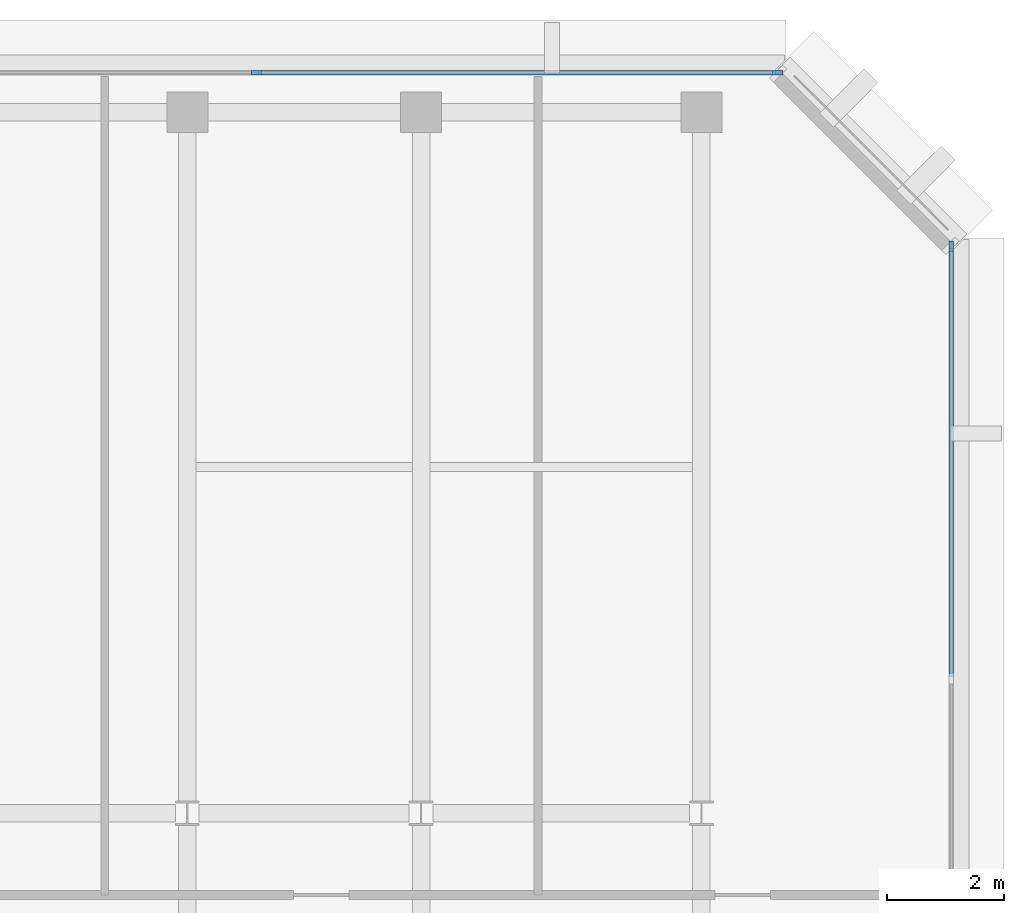
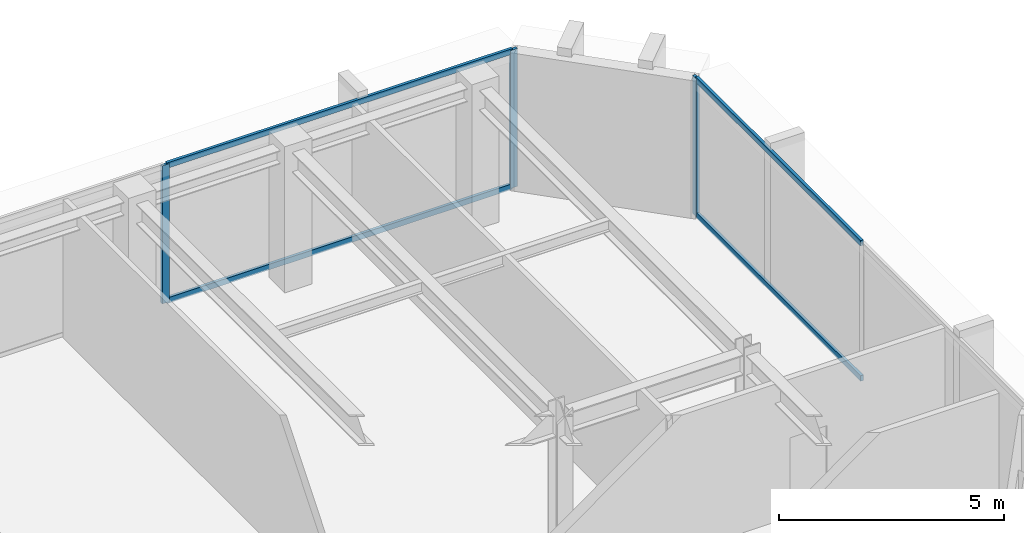
# One storey, part 5 of 11: 7 members, 2 elements without a shape of their own.
"""IFC4 building model written with IfcOpenShell, lengths in metres."""

from ifc_helpers import new_model, si_unit, direction, frame, origin, origin_2d, place, context, subcontext, project, spatial, rectangle, extrude, material, layer, layer_set, material_profile, profile_set, type_object, element, aggregate, save


model = new_model("IFC4")

# Units and contexts
model_context = context("Model", 3, precision=1e-05, world=origin(), true_north=direction((0.0, 1.0)))
body_context = subcontext(model_context, "Body", "Model", "MODEL_VIEW")
ifc_project = project(units=[si_unit("LENGTHUNIT", "METRE"), si_unit("AREAUNIT", "SQUARE_METRE"), si_unit("VOLUMEUNIT", "CUBIC_METRE"), si_unit("PLANEANGLEUNIT", "RADIAN"), si_unit("MASSUNIT", "GRAM", prefix="KILO")], contexts=[model_context])

# Site, building, storey
site_placement = place(None, origin())
site = spatial("IfcSite", under=ifc_project, at=site_placement, CompositionType="ELEMENT")
building_placement = place(site_placement, origin())
building = spatial("IfcBuilding", under=site, at=building_placement, Name="Kefirva Bronze Tower", CompositionType="ELEMENT")
storey_placement = place(building_placement, frame((0.0, 0.0, 307.889892578125)))
storey = spatial("IfcBuildingStorey", under=building, at=storey_placement, Name="L75", CompositionType="ELEMENT", Elevation=307.889892578125)

# Curtain wall, member
ifc_material = material(Name="Bronze anodised aluminium", Category="aluminium")
ifc_layer = layer(ifc_material, 0.179931640625, Name="Bronze anodised aluminium")
ifc_layer_set = layer_set([ifc_layer], Name="Bronze anodised aluminium")
curtain_wall_type = type_object("IfcCurtainWallType", Name="Unitised Bronze Ribbon Curtain Wall Zone 4", PredefinedType="USERDEFINED", material=ifc_layer_set)
curtain_wall_1_placement = place(storey_placement, origin())
curtain_wall_1 = element("IfcCurtainWall", 1, at=curtain_wall_1_placement, inside=storey, type_object=curtain_wall_type, Name="L75 Curtain Wall 3", ObjectType="UNITISED CURTAIN WALL", PredefinedType="USERDEFINED")
ifc_material_profile_1 = material_profile(ifc_material, rectangle(XDim=0.074951171875, YDim=0.179931640625, at=origin_2d()), Name="ALU 75x180")
ifc_profile_set_1 = profile_set([ifc_material_profile_1], Name="Bronze anodised aluminium")
member_type_1 = type_object("IfcMemberType", Name="Bronze Mullion 75x180", PredefinedType="MULLION", material=ifc_profile_set_1)
member_1_placement = place(storey_placement, frame((44.280029296875, 42.907470703125, 0.0), z_axis=(0.0, 0.0, 1.0), x_axis=(-1.0, 0.0, 0.0)))
member_1 = element("IfcMember", 2, at=member_1_placement, type_object=member_type_1, Name="CW-04 mullion 3", PredefinedType="MULLION", context=body_context, shape_type="SweptSolid", body=[
    extrude(rectangle(XDim=0.074951171875, YDim=0.179931640625, at=origin_2d()), origin(), (0.0, 0.0, 1.0), 3.739990234375),
])

# Curtain wall, members
curtain_wall_2_placement = place(storey_placement, origin())
curtain_wall_2 = element("IfcCurtainWall", 3, at=curtain_wall_2_placement, inside=storey, type_object=curtain_wall_type, Name="L75 Curtain Wall 4", ObjectType="UNITISED CURTAIN WALL", PredefinedType="USERDEFINED")
member_2_placement = place(storey_placement, frame((41.3076171875, 45.8798828125, 0.0), z_axis=(0.0, 0.0, 1.0), x_axis=(0.0, -1.0, 0.0)))
member_2 = element("IfcMember", 4, at=member_2_placement, type_object=member_type_1, Name="CW-04 mullion 1", PredefinedType="MULLION", context=body_context, shape_type="SweptSolid", body=[
    extrude(rectangle(XDim=0.074951171875, YDim=0.179931640625, at=origin_2d()), origin(), (0.0, 0.0, 1.0), 3.739990234375),
])
member_3_placement = place(storey_placement, frame((32.375, 45.8798828125, 0.0), z_axis=(0.0, 0.0, 1.0), x_axis=(0.0, -1.0, 0.0)))
member_3 = element("IfcMember", 5, at=member_3_placement, type_object=member_type_1, Name="CW-04 mullion 2", PredefinedType="MULLION", context=body_context, shape_type="SweptSolid", body=[
    extrude(rectangle(XDim=0.074951171875, YDim=0.179931640625, at=origin_2d()), origin(), (0.0, 0.0, 1.0), 3.739990234375),
])

# Member
ifc_material_profile_2 = material_profile(ifc_material, rectangle(XDim=0.074951171875, YDim=0.14990234375, at=origin_2d()), Name="ALU 75x150")
ifc_profile_set_2 = profile_set([ifc_material_profile_2], Name="Bronze anodised aluminium")
member_type_2 = type_object("IfcMemberType", Name="Bronze Transom 75x150", PredefinedType="USERDEFINED", material=ifc_profile_set_2)
member_4_placement = place(storey_placement, frame((44.280029296875, 35.53759765625, 0.03759765625), z_axis=(0.0, 1.0, 0.0), x_axis=(-1.0, 0.0, 0.0)))
member_4 = element("IfcMember", 6, at=member_4_placement, type_object=member_type_2, Name="CW-04 transom 2.1", ObjectType="TRANSOM", PredefinedType="USERDEFINED", context=body_context, shape_type="SweptSolid", body=[
    extrude(rectangle(XDim=0.074951171875, YDim=0.14990234375, at=origin_2d()), origin(), (0.0, 0.0, 1.0), 7.33251953125),
])

member_5_placement = place(storey_placement, frame((44.280029296875, 35.53759765625, 3.70263671875), z_axis=(0.0, 1.0, 0.0), x_axis=(-1.0, 0.0, 0.0)))
member_5 = element("IfcMember", 7, at=member_5_placement, type_object=member_type_2, Name="CW-04 transom 2.2", ObjectType="TRANSOM", PredefinedType="USERDEFINED", context=body_context, shape_type="SweptSolid", body=[
    extrude(rectangle(XDim=0.074951171875, YDim=0.14990234375, at=origin_2d()), origin(), (0.0, 0.0, 1.0), 7.33251953125),
])

aggregate(curtain_wall_1, [member_1, member_4, member_5])

member_6_placement = place(storey_placement, frame((41.27001953125, 45.8798828125, 0.03759765625), z_axis=(-1.0, 0.0, 0.0), x_axis=(0.0, -1.0, 0.0)))
member_6 = element("IfcMember", 8, at=member_6_placement, type_object=member_type_2, Name="CW-04 transom 1.1", ObjectType="TRANSOM", PredefinedType="USERDEFINED", context=body_context, shape_type="SweptSolid", body=[
    extrude(rectangle(XDim=0.074951171875, YDim=0.14990234375, at=origin_2d()), origin(), (0.0, 0.0, 1.0), 8.857421875),
])

member_7_placement = place(storey_placement, frame((41.27001953125, 45.8798828125, 3.70263671875), z_axis=(-1.0, 0.0, 0.0), x_axis=(0.0, -1.0, 0.0)))
member_7 = element("IfcMember", 9, at=member_7_placement, type_object=member_type_2, Name="CW-04 transom 1.2", ObjectType="TRANSOM", PredefinedType="USERDEFINED", context=body_context, shape_type="SweptSolid", body=[
    extrude(rectangle(XDim=0.074951171875, YDim=0.14990234375, at=origin_2d()), origin(), (0.0, 0.0, 1.0), 8.857421875),
])

aggregate(curtain_wall_2, [member_2, member_3, member_6, member_7])

save(model, "model.ifc")
